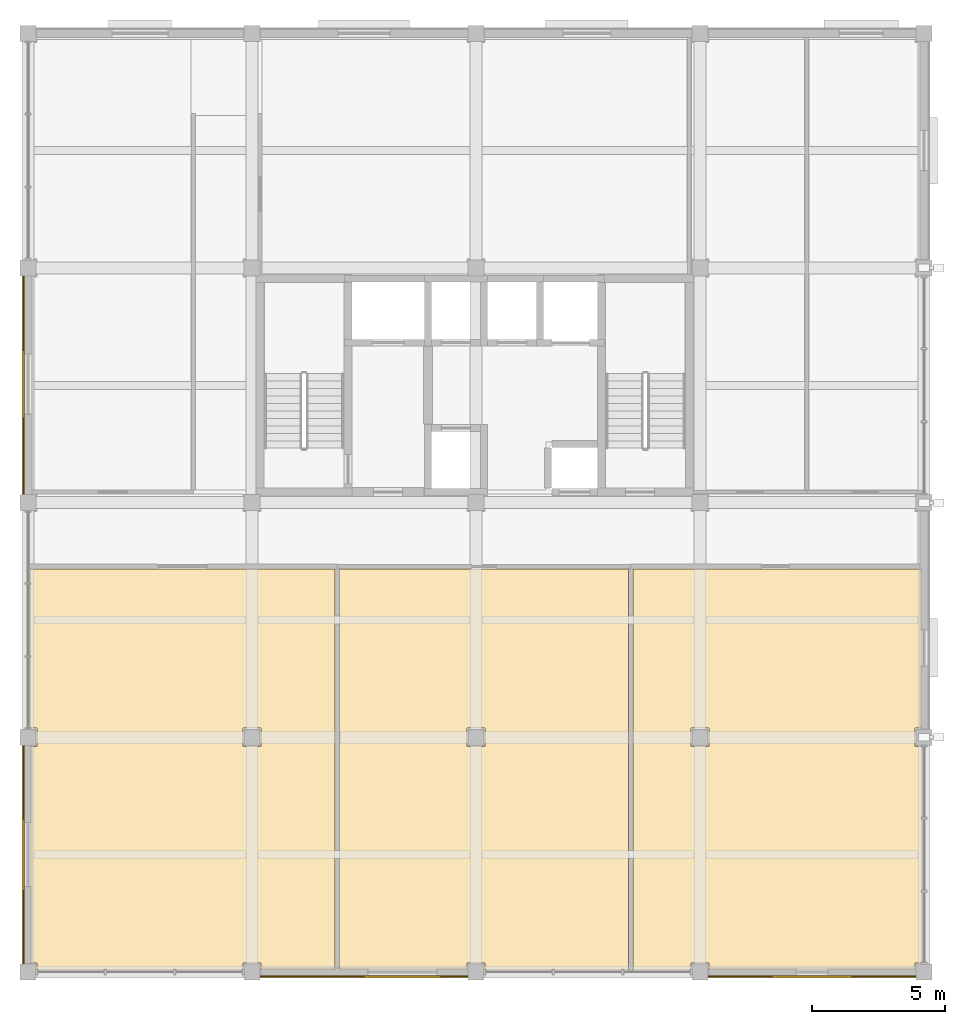
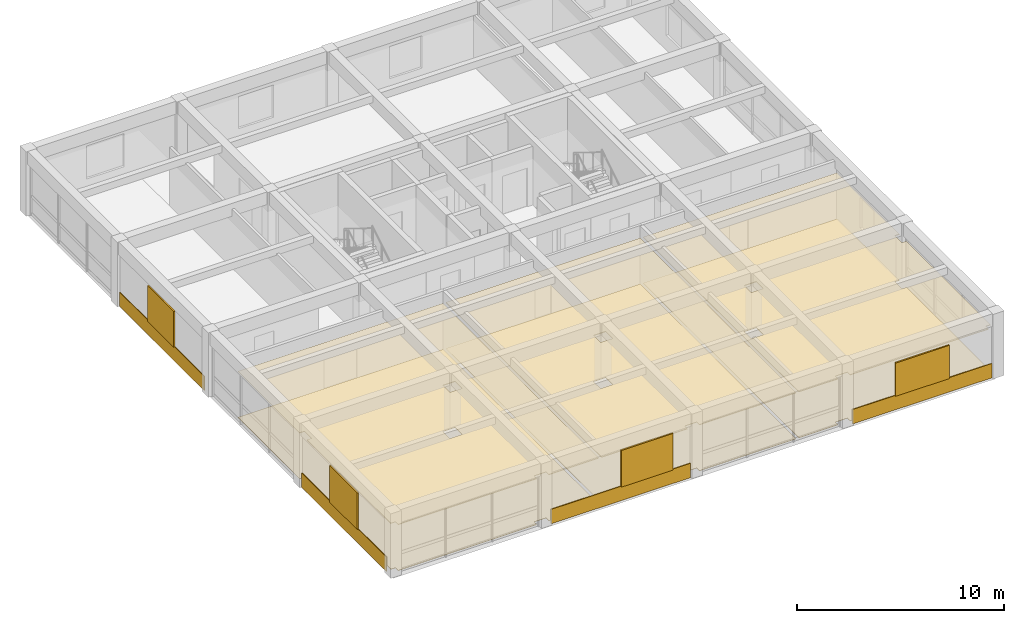
# One storey, part 9 of 12: 10 coverings, 4 shading devices.
"""IFC4 building model written with IfcOpenShell, lengths in metres."""

from ifc_helpers import new_model, si_unit, direction, frame, origin, origin_2d, place, context, subcontext, project, spatial, polyline, rectangle, outline, extrude, material, layer, layer_set, type_object, element, save


model = new_model("IFC4")

# Units and contexts
model_context = context("Model", 3, precision=1e-05, world=origin(), true_north=direction((0.0, 1.0)))
body_context = subcontext(model_context, "Body", "Model", "MODEL_VIEW")
ifc_project = project(units=[si_unit("LENGTHUNIT", "METRE"), si_unit("AREAUNIT", "SQUARE_METRE"), si_unit("VOLUMEUNIT", "CUBIC_METRE"), si_unit("PLANEANGLEUNIT", "RADIAN"), si_unit("MASSUNIT", "GRAM", prefix="KILO")], contexts=[model_context])

# Site, building, storey
site_placement = place(None, origin())
site = spatial("IfcSite", under=ifc_project, at=site_placement, CompositionType="ELEMENT")
building_placement = place(site_placement, origin())
building = spatial("IfcBuilding", under=site, at=building_placement, Name="Kemercrest Conservatory and Botanical Centre", CompositionType="ELEMENT")
storey_placement = place(building_placement, frame((0.0, 0.0, 52.199951171875)))
storey = spatial("IfcBuildingStorey", under=building, at=storey_placement, Name="L13", CompositionType="ELEMENT", Elevation=52.199951171875)

# Coverings
ifc_material_1 = material(Name="Honed limestone almasik ashlar rainscreen", Category="masonry")
ifc_layer_1 = layer(ifc_material_1, 0.0400390625)
ifc_layer_set_1 = layer_set([ifc_layer_1], Name="Honed limestone almasik ashlar rainscreen")
covering_type_1 = type_object("IfcCoveringType", Name="CV-CLD040", PredefinedType="CLADDING", material=ifc_layer_set_1)
covering_1_placement = place(storey_placement, origin())
element("IfcCovering", 1, at=covering_1_placement, inside=storey, type_object=covering_type_1, Name="Exterior stone spandrel cladding (WAL:L13:EXT-323)", PredefinedType="CLADDING", context=body_context, shape_type="SweptSolid", body=[
    extrude(outline(polyline([(151.110107421875, 87.050048828125), (151.110107421875, 87.010009765625), (158.889892578125, 87.010009765625), (158.889892578125, 87.050048828125), (151.110107421875, 87.050048828125)])), origin(), (0.0, 0.0, 1.0), 0.85009765625),
])
covering_2_placement = place(storey_placement, origin())
element("IfcCovering", 2, at=covering_2_placement, inside=storey, type_object=covering_type_1, Name="Exterior stone spandrel cladding (WAL:L13:EXT-324)", PredefinedType="CLADDING", context=body_context, shape_type="SweptSolid", body=[
    extrude(outline(polyline([(167.909912109375, 87.050048828125), (167.909912109375, 87.010009765625), (175.68994140625, 87.010009765625), (175.68994140625, 87.050048828125), (167.909912109375, 87.050048828125)])), origin(), (0.0, 0.0, 1.0), 0.85009765625),
])
covering_3_placement = place(storey_placement, origin())
element("IfcCovering", 3, at=covering_3_placement, inside=storey, type_object=covering_type_1, Name="Exterior stone spandrel cladding (WAL:L13:EXT-331)", PredefinedType="CLADDING", context=body_context, shape_type="SweptSolid", body=[
    extrude(outline(polyline([(142.25, 113.2900390625), (142.2099609375, 113.2900390625), (142.2099609375, 105.110107421875), (142.25, 105.110107421875), (142.25, 113.2900390625)])), origin(), (0.0, 0.0, 1.0), 0.85009765625),
])
covering_4_placement = place(storey_placement, origin())
element("IfcCovering", 4, at=covering_4_placement, inside=storey, type_object=covering_type_1, Name="Exterior stone spandrel cladding (WAL:L13:EXT-332)", PredefinedType="CLADDING", context=body_context, shape_type="SweptSolid", body=[
    extrude(outline(polyline([(142.25, 95.68994140625), (142.2099609375, 95.68994140625), (142.2099609375, 87.510009765625), (142.25, 87.510009765625), (142.25, 95.68994140625)])), origin(), (0.0, 0.0, 1.0), 0.85009765625),
])
ifc_material_2 = material(Name="Perforated acoustic gypsum and mineral-fibre suspended ceiling", Category="gypsum")
ifc_layer_2 = layer(ifc_material_2, 0.034912109375)
ifc_layer_set_2 = layer_set([ifc_layer_2], Name="Perforated acoustic gypsum and mineral-fibre suspended ceiling")
covering_type_2 = type_object("IfcCoveringType", Name="CV-CLG035", PredefinedType="CEILING", material=ifc_layer_set_2)
covering_5_placement = place(storey_placement, frame((0.0, 0.0, 2.699951171875)))
element("IfcCovering", 5, at=covering_5_placement, inside=storey, type_object=covering_type_2, Name="Ethnobotany Research Laboratory suspended acoustic ceiling", PredefinedType="CEILING", context=body_context, shape_type="SweptSolid", body=[
    extrude(outline(polyline([(150.4599609375, 87.5400390625), (151.139892578125, 87.5400390625), (151.139892578125, 87.280029296875), (153.919921875, 87.280029296875), (153.919921875, 102.320068359375), (142.47998046875, 102.320068359375), (142.47998046875, 96.340087890625), (142.739990234375, 96.340087890625), (142.739990234375, 95.659912109375), (142.47998046875, 95.659912109375), (142.47998046875, 87.5400390625), (142.739990234375, 87.5400390625), (142.739990234375, 87.280029296875), (150.4599609375, 87.280029296875), (150.4599609375, 87.5400390625)]), holes=[polyline([(150.4599609375, 95.659912109375), (150.4599609375, 96.340087890625), (151.139892578125, 96.340087890625), (151.139892578125, 95.659912109375), (150.4599609375, 95.659912109375)])]), origin(), (0.0, 0.0, 1.0), 0.03515625),
])
covering_6_placement = place(storey_placement, frame((0.0, 0.0, 2.699951171875)))
element("IfcCovering", 6, at=covering_6_placement, inside=storey, type_object=covering_type_2, Name="Alpine Ecology Studio suspended acoustic ceiling", PredefinedType="CEILING", context=body_context, shape_type="SweptSolid", body=[
    extrude(outline(polyline([(158.860107421875, 87.5400390625), (159.5400390625, 87.5400390625), (159.5400390625, 87.280029296875), (164.919921875, 87.280029296875), (164.919921875, 102.320068359375), (154.080078125, 102.320068359375), (154.080078125, 87.280029296875), (158.860107421875, 87.280029296875), (158.860107421875, 87.5400390625)]), holes=[polyline([(158.860107421875, 96.340087890625), (159.5400390625, 96.340087890625), (159.5400390625, 95.659912109375), (158.860107421875, 95.659912109375), (158.860107421875, 96.340087890625)])]), origin(), (0.0, 0.0, 1.0), 0.03515625),
])
covering_7_placement = place(storey_placement, frame((0.0, 0.0, 2.699951171875)))
element("IfcCovering", 7, at=covering_7_placement, inside=storey, type_object=covering_type_2, Name="GIS Mapping Laboratory suspended acoustic ceiling", PredefinedType="CEILING", context=body_context, shape_type="SweptSolid", body=[
    extrude(outline(polyline([(167.260009765625, 87.5400390625), (167.93994140625, 87.5400390625), (167.93994140625, 87.280029296875), (175.659912109375, 87.280029296875), (175.659912109375, 87.5400390625), (175.919921875, 87.5400390625), (175.919921875, 95.659912109375), (175.659912109375, 95.659912109375), (175.659912109375, 96.340087890625), (175.919921875, 96.340087890625), (175.919921875, 102.320068359375), (165.080078125, 102.320068359375), (165.080078125, 87.280029296875), (167.260009765625, 87.280029296875), (167.260009765625, 87.5400390625)]), holes=[polyline([(167.260009765625, 96.340087890625), (167.93994140625, 96.340087890625), (167.93994140625, 95.659912109375), (167.260009765625, 95.659912109375), (167.260009765625, 96.340087890625)])]), origin(), (0.0, 0.0, 1.0), 0.03515625),
])
ifc_material_3 = material(Name="Polished limestone terrazzo and seamless laboratory epoxy flooring", Category="masonry")
ifc_layer_3 = layer(ifc_material_3, 0.02001953125)
ifc_layer_set_3 = layer_set([ifc_layer_3], Name="Polished limestone terrazzo and seamless laboratory epoxy flooring")
covering_type_3 = type_object("IfcCoveringType", Name="CV-FLR020", PredefinedType="FLOORING", material=ifc_layer_set_3)
covering_8_placement = place(storey_placement, origin())
element("IfcCovering", 8, at=covering_8_placement, inside=storey, type_object=covering_type_3, Name="Ethnobotany Research Laboratory floor finish", PredefinedType="FLOORING", context=body_context, shape_type="SweptSolid", body=[
    extrude(outline(polyline([(150.4599609375, 87.5400390625), (151.139892578125, 87.5400390625), (151.139892578125, 87.280029296875), (153.919921875, 87.280029296875), (153.919921875, 102.320068359375), (142.47998046875, 102.320068359375), (142.47998046875, 96.340087890625), (142.739990234375, 96.340087890625), (142.739990234375, 95.659912109375), (142.47998046875, 95.659912109375), (142.47998046875, 87.5400390625), (142.739990234375, 87.5400390625), (142.739990234375, 87.280029296875), (150.4599609375, 87.280029296875), (150.4599609375, 87.5400390625)]), holes=[polyline([(150.4599609375, 95.659912109375), (150.4599609375, 96.340087890625), (151.139892578125, 96.340087890625), (151.139892578125, 95.659912109375), (150.4599609375, 95.659912109375)])]), origin(), (0.0, 0.0, 1.0), 0.02001953125),
])
covering_9_placement = place(storey_placement, origin())
element("IfcCovering", 9, at=covering_9_placement, inside=storey, type_object=covering_type_3, Name="Alpine Ecology Studio floor finish", PredefinedType="FLOORING", context=body_context, shape_type="SweptSolid", body=[
    extrude(outline(polyline([(158.860107421875, 87.5400390625), (159.5400390625, 87.5400390625), (159.5400390625, 87.280029296875), (164.919921875, 87.280029296875), (164.919921875, 102.320068359375), (154.080078125, 102.320068359375), (154.080078125, 87.280029296875), (158.860107421875, 87.280029296875), (158.860107421875, 87.5400390625)]), holes=[polyline([(158.860107421875, 96.340087890625), (159.5400390625, 96.340087890625), (159.5400390625, 95.659912109375), (158.860107421875, 95.659912109375), (158.860107421875, 96.340087890625)])]), origin(), (0.0, 0.0, 1.0), 0.02001953125),
])
covering_10_placement = place(storey_placement, origin())
element("IfcCovering", 10, at=covering_10_placement, inside=storey, type_object=covering_type_3, Name="GIS Mapping Laboratory floor finish", PredefinedType="FLOORING", context=body_context, shape_type="SweptSolid", body=[
    extrude(outline(polyline([(167.260009765625, 87.5400390625), (167.93994140625, 87.5400390625), (167.93994140625, 87.280029296875), (175.659912109375, 87.280029296875), (175.659912109375, 87.5400390625), (175.919921875, 87.5400390625), (175.919921875, 95.659912109375), (175.659912109375, 95.659912109375), (175.659912109375, 96.340087890625), (175.919921875, 96.340087890625), (175.919921875, 102.320068359375), (165.080078125, 102.320068359375), (165.080078125, 87.280029296875), (167.260009765625, 87.280029296875), (167.260009765625, 87.5400390625)]), holes=[polyline([(167.260009765625, 96.340087890625), (167.93994140625, 96.340087890625), (167.93994140625, 95.659912109375), (167.260009765625, 95.659912109375), (167.260009765625, 96.340087890625)])]), origin(), (0.0, 0.0, 1.0), 0.02001953125),
])

# Shading devices
ifc_material_4 = material(Name="Perforated bronze-anodized aluminium", Category="aluminium")
shading_device_type_1 = type_object("IfcShadingDeviceType", Name="SH-MS02", PredefinedType="USERDEFINED", material=ifc_material_4)
shading_device_1_placement = place(storey_placement, frame((142.2119140625, 109.2451171875, 0.81982421875), z_axis=(0.0, 0.0, 1.0), x_axis=(0.0, -1.0, 0.0)))
element("IfcShadingDevice", 11, at=shading_device_1_placement, inside=storey, type_object=shading_device_type_1, Name="Ottoman mashrabiya perforated screen SH-MS02 (WIN:L13:EXT-331)", ObjectType="MASHRABIYA SCREEN", PredefinedType="USERDEFINED", context=body_context, shape_type="SweptSolid", body=[
    extrude(rectangle(XDim=2.530029296875, YDim=0.080078125, at=origin_2d()), origin(), (0.0, 0.0, 1.0), 2.110107421875),
])
shading_device_type_2 = type_object("IfcShadingDeviceType", Name="SH-MS03", PredefinedType="USERDEFINED", material=ifc_material_4)
shading_device_2_placement = place(storey_placement, frame((142.2119140625, 91.60009765625, 0.8203125), z_axis=(0.0, 0.0, 1.0), x_axis=(0.0, -1.0, 0.0)))
element("IfcShadingDevice", 12, at=shading_device_2_placement, inside=storey, type_object=shading_device_type_2, Name="Ottoman mashrabiya perforated screen SH-MS03 (WIN:L13:EXT-332)", ObjectType="MASHRABIYA SCREEN", PredefinedType="USERDEFINED", context=body_context, shape_type="SweptSolid", body=[
    extrude(rectangle(XDim=2.679931640625, YDim=0.080078125, at=origin_2d()), origin(), (0.0, 0.0, 1.0), 2.159912109375),
])
shading_device_type_3 = type_object("IfcShadingDeviceType", Name="SH-MS04", PredefinedType="USERDEFINED", material=ifc_material_4)
shading_device_3_placement = place(storey_placement, frame((156.445068359375, 87.011962890625, 0.8203125), z_axis=(0.0, 0.0, 1.0), x_axis=(1.0, 0.0, 0.0)))
element("IfcShadingDevice", 13, at=shading_device_3_placement, inside=storey, type_object=shading_device_type_3, Name="Ottoman mashrabiya perforated screen SH-MS04 (WIN:L13:EXT-323)", ObjectType="MASHRABIYA SCREEN", PredefinedType="USERDEFINED", context=body_context, shape_type="SweptSolid", body=[
    extrude(rectangle(XDim=2.8798828125, YDim=0.080078125, at=origin_2d()), origin(), (0.0, 0.0, 1.0), 2.159912109375),
])
shading_device_type_4 = type_object("IfcShadingDeviceType", Name="SH-MS05", PredefinedType="USERDEFINED", material=ifc_material_4)
shading_device_4_placement = place(storey_placement, frame((171.800048828125, 87.011962890625, 0.820068359375), z_axis=(0.0, 0.0, 1.0), x_axis=(1.0, 0.0, 0.0)))
element("IfcShadingDevice", 14, at=shading_device_4_placement, inside=storey, type_object=shading_device_type_4, Name="Ottoman mashrabiya perforated screen SH-MS05 (WIN:L13:EXT-324)", ObjectType="MASHRABIYA SCREEN", PredefinedType="USERDEFINED", context=body_context, shape_type="SweptSolid", body=[
    extrude(rectangle(XDim=3.0, YDim=0.080078125, at=origin_2d()), origin(), (0.0, 0.0, 1.0), 1.9599609375),
])

save(model, "model.ifc")
